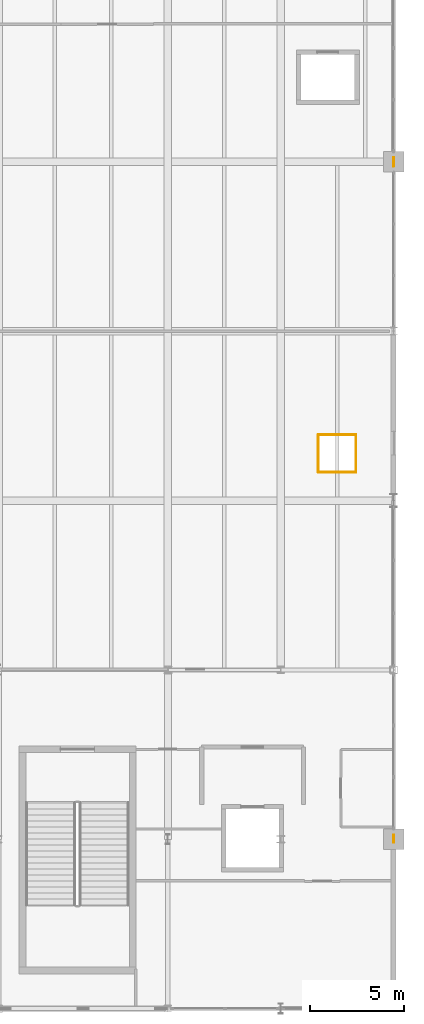
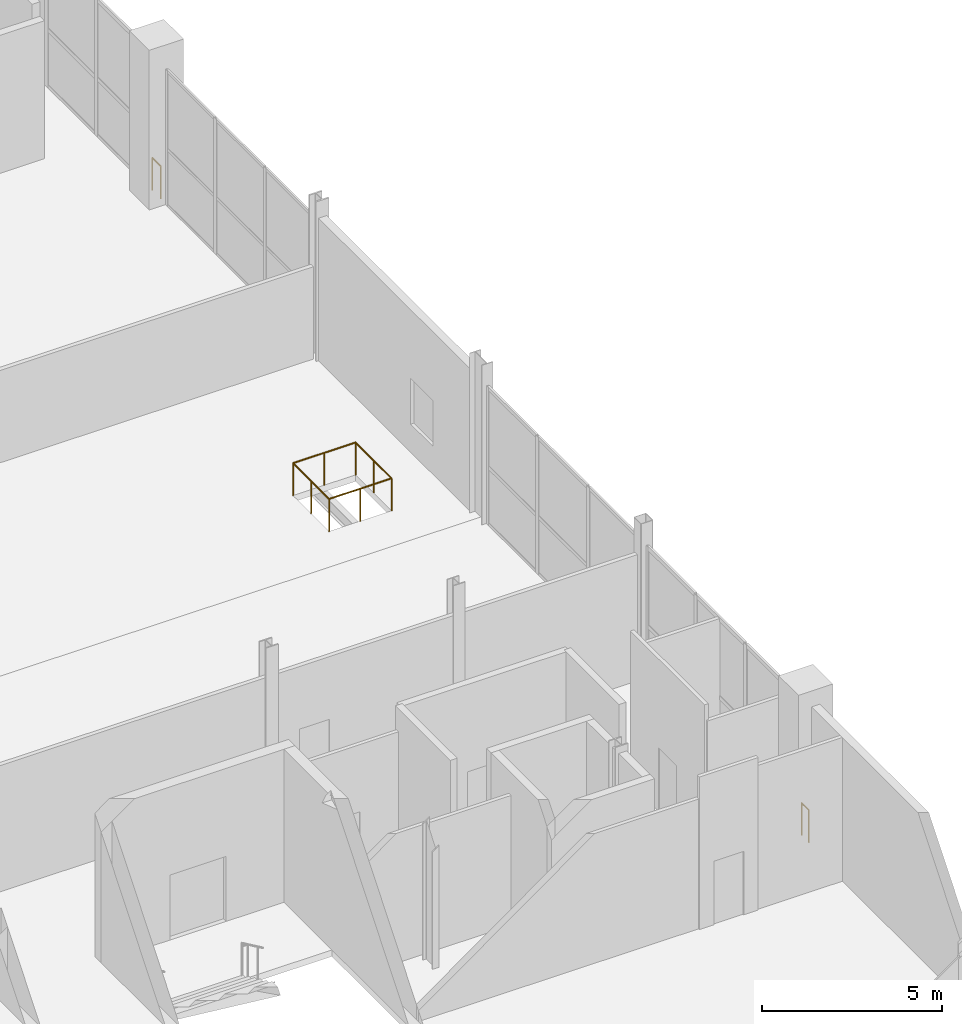
# One storey, part 113 of 119: 6 railings.
"""IFC4 building model written with IfcOpenShell, lengths in metres."""

from ifc_helpers import new_model, si_unit, direction, frame, origin, origin_2d, place, context, subcontext, project, spatial, circle, extrude, material, type_object, element, save


model = new_model("IFC4")

# Units and contexts
model_context = context("Model", 3, precision=1e-05, world=origin(), true_north=direction((0.0, 1.0)))
body_context = subcontext(model_context, "Body", "Model", "MODEL_VIEW")
ifc_project = project(units=[si_unit("LENGTHUNIT", "METRE"), si_unit("AREAUNIT", "SQUARE_METRE"), si_unit("VOLUMEUNIT", "CUBIC_METRE"), si_unit("PLANEANGLEUNIT", "RADIAN"), si_unit("MASSUNIT", "GRAM", prefix="KILO")], contexts=[model_context])

# Site, building, storey
site_placement = place(None, origin())
site = spatial("IfcSite", under=ifc_project, at=site_placement, CompositionType="ELEMENT")
building_placement = place(site_placement, origin())
building = spatial("IfcBuilding", under=site, at=building_placement, Name="Qamarlyn Nura Convention Centre", CompositionType="ELEMENT")
storey_placement = place(building_placement, frame((0.0, 0.0, 5.39990234375)))
storey = spatial("IfcBuildingStorey", under=building, at=storey_placement, Name="L01", CompositionType="ELEMENT", Elevation=5.39990234375)

# Railings
ifc_material = material(Name="Marine Grade 316 stainless steel", Category="steel")
railing_type = type_object("IfcRailingType", Name="GRD-VOID-112", PredefinedType="BALUSTRADE", material=ifc_material)
railing_1_placement = place(storey_placement, frame((192.0, 45.22998046875, 0.0)))
element("IfcRailing", 1, at=railing_1_placement, inside=storey, type_object=railing_type, Name="L01 slab edge balustrade guard 041", PredefinedType="BALUSTRADE", context=body_context, shape_type="SweptSolid", body=[
    extrude(circle(Radius=0.02392578125, at=origin_2d()), frame((0.0, 0.0, 1.09619140625), z_axis=(0.0, -1.0, 0.0), x_axis=(1.0, 0.0, 0.0)), (0.0, 0.0, 1.0), 0.4599609375),
    extrude(circle(Radius=0.02099609375, at=origin_2d()), origin(), (0.0, 0.0, 1.0), 1.070068359375),
    extrude(circle(Radius=0.02099609375, at=origin_2d()), frame((0.0, -0.4599609375, 0.0)), (0.0, 0.0, 1.0), 1.070068359375),
])
railing_2_placement = place(storey_placement, frame((192.0, 9.22998046875, 0.0)))
element("IfcRailing", 2, at=railing_2_placement, inside=storey, type_object=railing_type, Name="L01 slab edge balustrade guard 042", PredefinedType="BALUSTRADE", context=body_context, shape_type="SweptSolid", body=[
    extrude(circle(Radius=0.02392578125, at=origin_2d()), frame((0.0, 0.0, 1.09619140625), z_axis=(0.0, -1.0, 0.0), x_axis=(1.0, 0.0, 0.0)), (0.0, 0.0, 1.0), 0.39990234375),
    extrude(circle(Radius=0.02099609375, at=origin_2d()), origin(), (0.0, 0.0, 1.0), 1.070068359375),
    extrude(circle(Radius=0.02099609375, at=origin_2d()), frame((0.0, -0.39990234375, 0.0)), (0.0, 0.0, 1.0), 1.070068359375),
])
railing_3_placement = place(storey_placement, frame((188.0, 30.5, 0.0)))
element("IfcRailing", 3, at=railing_3_placement, inside=storey, type_object=railing_type, Name="L01 slab edge balustrade guard 044", PredefinedType="BALUSTRADE", context=body_context, shape_type="SweptSolid", body=[
    extrude(circle(Radius=0.02392578125, at=origin_2d()), frame((0.0, 0.0, 1.09619140625), z_axis=(0.0, -1.0, 0.0), x_axis=(1.0, 0.0, 0.0)), (0.0, 0.0, 1.0), 2.0),
    extrude(circle(Radius=0.02099609375, at=origin_2d()), origin(), (0.0, 0.0, 1.0), 1.070068359375),
    extrude(circle(Radius=0.02099609375, at=origin_2d()), frame((0.0, -1.0, 0.0)), (0.0, 0.0, 1.0), 1.070068359375),
    extrude(circle(Radius=0.02099609375, at=origin_2d()), frame((0.0, -2.0, 0.0)), (0.0, 0.0, 1.0), 1.070068359375),
])
railing_4_placement = place(storey_placement, frame((188.0, 28.5, 0.0)))
element("IfcRailing", 4, at=railing_4_placement, inside=storey, type_object=railing_type, Name="L01 slab edge balustrade guard 045", PredefinedType="BALUSTRADE", context=body_context, shape_type="SweptSolid", body=[
    extrude(circle(Radius=0.02392578125, at=origin_2d()), frame((0.0, 0.0, 1.09619140625), z_axis=(1.0, 0.0, 0.0), x_axis=(0.0, 1.0, 0.0)), (0.0, 0.0, 1.0), 2.0),
    extrude(circle(Radius=0.02099609375, at=origin_2d()), origin(), (0.0, 0.0, 1.0), 1.070068359375),
    extrude(circle(Radius=0.02099609375, at=origin_2d()), frame((1.0, 0.0, 0.0)), (0.0, 0.0, 1.0), 1.070068359375),
    extrude(circle(Radius=0.02099609375, at=origin_2d()), frame((2.0, 0.0, 0.0)), (0.0, 0.0, 1.0), 1.070068359375),
])
railing_5_placement = place(storey_placement, frame((190.0, 28.5, 0.0)))
element("IfcRailing", 5, at=railing_5_placement, inside=storey, type_object=railing_type, Name="L01 slab edge balustrade guard 046", PredefinedType="BALUSTRADE", context=body_context, shape_type="SweptSolid", body=[
    extrude(circle(Radius=0.02392578125, at=origin_2d()), frame((0.0, 0.0, 1.09619140625), z_axis=(0.0, 1.0, 0.0), x_axis=(-1.0, 0.0, 0.0)), (0.0, 0.0, 1.0), 2.0),
    extrude(circle(Radius=0.02099609375, at=origin_2d()), origin(), (0.0, 0.0, 1.0), 1.070068359375),
    extrude(circle(Radius=0.02099609375, at=origin_2d()), frame((0.0, 1.0, 0.0)), (0.0, 0.0, 1.0), 1.070068359375),
    extrude(circle(Radius=0.02099609375, at=origin_2d()), frame((0.0, 2.0, 0.0)), (0.0, 0.0, 1.0), 1.070068359375),
])
railing_6_placement = place(storey_placement, frame((190.0, 30.5, 0.0)))
element("IfcRailing", 6, at=railing_6_placement, inside=storey, type_object=railing_type, Name="L01 slab edge balustrade guard 047", PredefinedType="BALUSTRADE", context=body_context, shape_type="SweptSolid", body=[
    extrude(circle(Radius=0.02392578125, at=origin_2d()), frame((0.0, 0.0, 1.09619140625), z_axis=(-1.0, 0.0, 0.0), x_axis=(0.0, -1.0, 0.0)), (0.0, 0.0, 1.0), 2.0),
    extrude(circle(Radius=0.02099609375, at=origin_2d()), origin(), (0.0, 0.0, 1.0), 1.070068359375),
    extrude(circle(Radius=0.02099609375, at=origin_2d()), frame((-1.0, 0.0, 0.0)), (0.0, 0.0, 1.0), 1.070068359375),
    extrude(circle(Radius=0.02099609375, at=origin_2d()), frame((-2.0, 0.0, 0.0)), (0.0, 0.0, 1.0), 1.070068359375),
])

save(model, "model.ifc")
